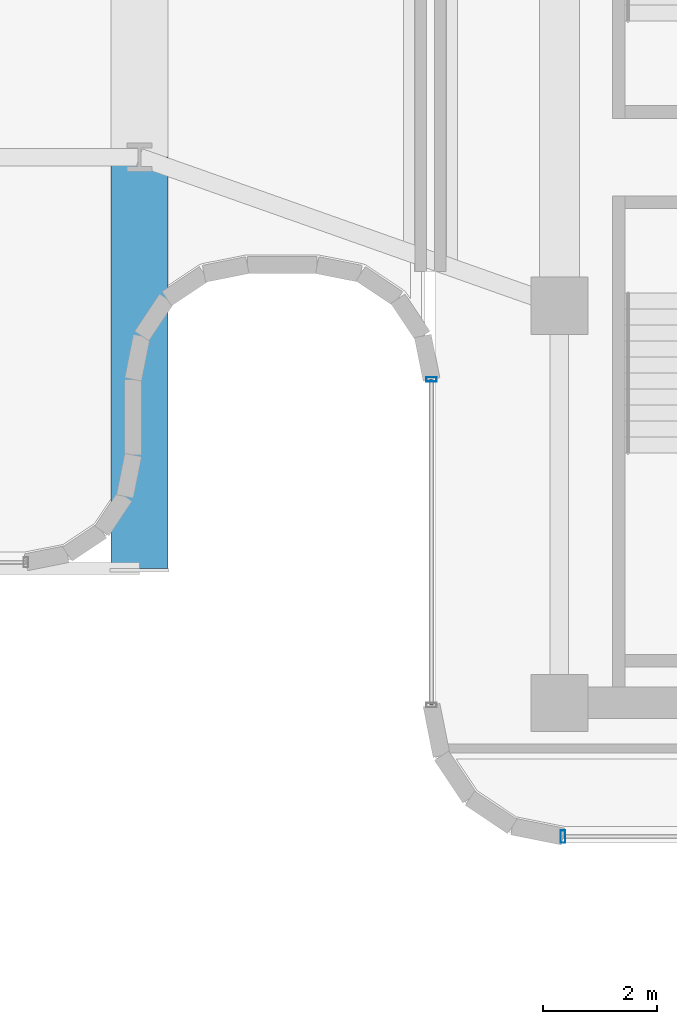
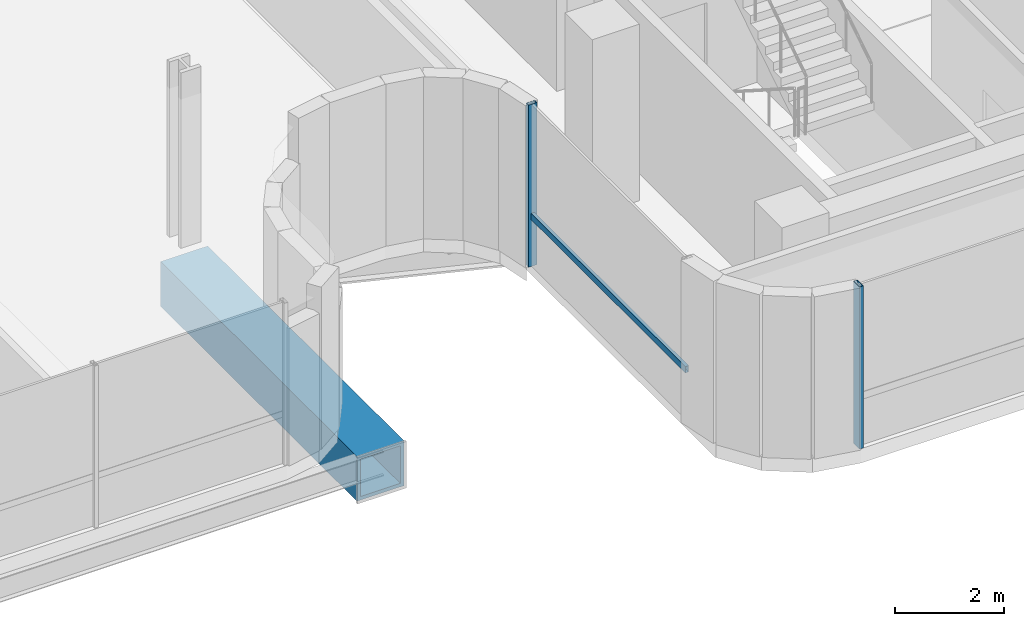
# One storey, part 12 of 37: 3 members, 1 beam, 2 elements without a shape of their own.
"""IFC4 building model written with IfcOpenShell, lengths in metres."""

from ifc_helpers import new_model, si_unit, direction, frame, origin, origin_2d, place, context, subcontext, project, spatial, hollow_rectangle, extrude, source, transform, mapped, material, material_profile, profile_set, type_object, element, aggregate, save


model = new_model("IFC4")

# Units and contexts
model_context = context("Model", 3, precision=1e-05, world=origin(), true_north=direction((0.0, 1.0)))
body_context = subcontext(model_context, "Body", "Model", "MODEL_VIEW")
ifc_project = project(units=[si_unit("LENGTHUNIT", "METRE"), si_unit("AREAUNIT", "SQUARE_METRE"), si_unit("VOLUMEUNIT", "CUBIC_METRE"), si_unit("PLANEANGLEUNIT", "RADIAN"), si_unit("MASSUNIT", "GRAM", prefix="KILO")], contexts=[model_context])

# Site, building, storey
site_placement = place(None, origin())
site = spatial("IfcSite", under=ifc_project, at=site_placement, CompositionType="ELEMENT")
building_placement = place(site_placement, origin())
building = spatial("IfcBuilding", under=site, at=building_placement, Name="Valdorenza Pilgrim Sanctuary Tower", CompositionType="ELEMENT")
storey_placement = place(building_placement, frame((0.0, 0.0, 188.39990234375)))
storey = spatial("IfcBuildingStorey", under=building, at=storey_placement, Name="L48", CompositionType="ELEMENT", Elevation=188.39990234375)

# Beam
ifc_material_1 = material(Name="Steel ASTM A572 Grade 42", Category="steel")
ifc_material_profile_1 = material_profile(ifc_material_1, hollow_rectangle(XDim=1.0, YDim=1.0, WallThickness=0.080078125, at=origin_2d()), Name="BOX 1000x1000x80")
ifc_profile_set_1 = profile_set([ifc_material_profile_1], Name="Steel ASTM A572 Grade 42")
beam_type = type_object("IfcBeamType", Name="STR-BM-PROW-CANT", PredefinedType="BEAM", material=ifc_profile_set_1)
shared_shape_1 = source(origin(), body_context, "Body", "SweptSolid", [
    extrude(hollow_rectangle(XDim=1.0, YDim=1.0, WallThickness=0.080078125, at=origin_2d()), origin(), (0.0, 0.0, 1.0), 7.199951171875),
])
beam_placement = place(storey_placement, frame((8.5, 0.0, -0.81982421875), z_axis=(0.0, -1.0, 0.0), x_axis=(1.0, 0.0, 0.0)))
element("IfcBeam", 1, at=beam_placement, inside=storey, type_object=beam_type, Name="L48 South Sanctuary Prow Cantilever PROW-CANT-S-E", PredefinedType="BEAM", context=body_context, shape_type="MappedRepresentation", body=[
    mapped(shared_shape_1, transform((0.0, 0.0, 0.0), x_axis=(1.0, 0.0, 0.0), y_axis=(0.0, 1.0, 0.0), z_axis=(0.0, 0.0, 1.0), scale=1.0)),
])

# Curtain wall, members
ifc_material_2 = material(Name="Curtain-wall IGU glazing", Category="glass")
curtain_wall_type_1 = type_object("IfcCurtainWallType", Name="CW-SYS-05", PredefinedType="NOTDEFINED", material=ifc_material_2)
curtain_wall_1_placement = place(storey_placement, origin())
curtain_wall_1 = element("IfcCurtainWall", 2, at=curtain_wall_1_placement, inside=storey, type_object=curtain_wall_type_1, Name="L48 Curtain Wall CW-L48-1-47", PredefinedType="NOTDEFINED")
ifc_material_3 = material(Name="Anodised aluminium AW-6060", Category="aluminium")
ifc_material_profile_2 = material_profile(ifc_material_3, hollow_rectangle(XDim=0.070068359375, YDim=0.139892578125, WallThickness=0.00341796875, at=origin_2d()), Name="ALU-T 140x70x3.5")
ifc_profile_set_2 = profile_set([ifc_material_profile_2], Name="Anodised aluminium AW-6060")
member_type_1 = type_object("IfcMemberType", Name="CW-TRN-05", PredefinedType="USERDEFINED", material=ifc_profile_set_2)
shared_shape_2 = source(origin(), body_context, "Body", "SweptSolid", [
    extrude(hollow_rectangle(XDim=0.070068359375, YDim=0.139892578125, WallThickness=0.00341796875, at=origin_2d()), origin(), (0.0, 0.0, 1.0), 5.699951171875),
])
member_1_placement = place(storey_placement, frame((13.610107421875, -9.589111328125, 1.1201171875), z_axis=(0.0, 1.0, 0.0), x_axis=(-1.0, 0.0, 0.0)))
member_1 = element("IfcMember", 3, at=member_1_placement, type_object=member_type_1, Name="CW-L48-1-47 Transom 1", ObjectType="TRANSOM", PredefinedType="USERDEFINED", context=body_context, shape_type="MappedRepresentation", body=[
    mapped(shared_shape_2, transform((0.0, 0.0, 0.0), x_axis=(1.0, 0.0, 0.0), y_axis=(0.0, 1.0, 0.0), z_axis=(0.0, 0.0, 1.0), scale=1.0)),
])
ifc_material_profile_3 = material_profile(ifc_material_3, hollow_rectangle(XDim=0.080078125, YDim=0.179931640625, WallThickness=0.00439453125, at=origin_2d()), Name="ALU-M 180x80x4.5")
ifc_profile_set_3 = profile_set([ifc_material_profile_3], Name="Anodised aluminium AW-6060")
member_type_2 = type_object("IfcMemberType", Name="CW-MUL-05", PredefinedType="MULLION", material=ifc_profile_set_3)
shared_shape_3 = source(origin(), body_context, "Body", "SweptSolid", [
    extrude(hollow_rectangle(XDim=0.080078125, YDim=0.179931640625, WallThickness=0.00439453125, at=origin_2d()), origin(), (0.0, 0.0, 1.0), 3.630126953125),
])
member_2_placement = place(storey_placement, frame((13.610107421875, -3.88916015625, 0.0), z_axis=(0.0, 0.0, 1.0), x_axis=(0.0, 1.0, 0.0)))
member_2 = element("IfcMember", 4, at=member_2_placement, type_object=member_type_2, Name="CW-L48-1-47 Mullion 2", PredefinedType="MULLION", context=body_context, shape_type="MappedRepresentation", body=[
    mapped(shared_shape_3, transform((0.0, 0.0, 0.0), x_axis=(1.0, 0.0, 0.0), y_axis=(0.0, 1.0, 0.0), z_axis=(0.0, 0.0, 1.0), scale=1.0)),
])
aggregate(curtain_wall_1, [member_2, member_1])

# Curtain wall, member
curtain_wall_type_2 = type_object("IfcCurtainWallType", Name="CW-SYS-03", PredefinedType="NOTDEFINED", material=ifc_material_2)
curtain_wall_2_placement = place(storey_placement, origin())
curtain_wall_2 = element("IfcCurtainWall", 5, at=curtain_wall_2_placement, inside=storey, type_object=curtain_wall_type_2, Name="L48 Curtain Wall CW-L48-1-42", PredefinedType="NOTDEFINED")
ifc_material_profile_4 = material_profile(ifc_material_3, hollow_rectangle(XDim=0.0849609375, YDim=0.219970703125, WallThickness=0.0048828125, at=origin_2d()), Name="ALU-M 220x85x5")
ifc_profile_set_4 = profile_set([ifc_material_profile_4], Name="Anodised aluminium AW-6060")
member_type_3 = type_object("IfcMemberType", Name="CW-MUL-03", PredefinedType="MULLION", material=ifc_profile_set_4)
shared_shape_4 = source(origin(), body_context, "Body", "SweptSolid", [
    extrude(hollow_rectangle(XDim=0.0849609375, YDim=0.219970703125, WallThickness=0.0048828125, at=origin_2d()), origin(), (0.0, 0.0, 1.0), 3.630126953125),
])
member_3_placement = place(storey_placement, frame((15.910888671875, -11.889892578125, 0.0), z_axis=(0.0, 0.0, 1.0), x_axis=(-1.0, 0.0, 0.0)))
member_3 = element("IfcMember", 6, at=member_3_placement, type_object=member_type_3, Name="CW-L48-1-42 Mullion 3", PredefinedType="MULLION", context=body_context, shape_type="MappedRepresentation", body=[
    mapped(shared_shape_4, transform((0.0, 0.0, 0.0), x_axis=(1.0, 0.0, 0.0), y_axis=(0.0, 1.0, 0.0), z_axis=(0.0, 0.0, 1.0), scale=1.0)),
])
aggregate(curtain_wall_2, [member_3])

save(model, "model.ifc")
